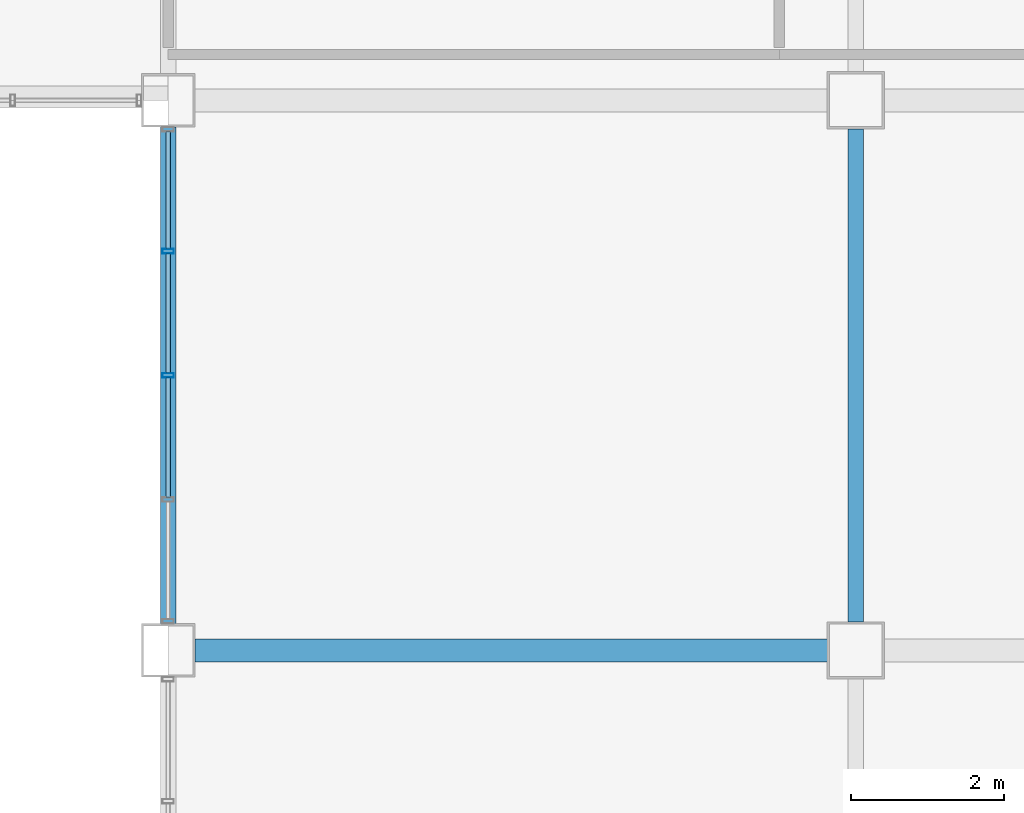
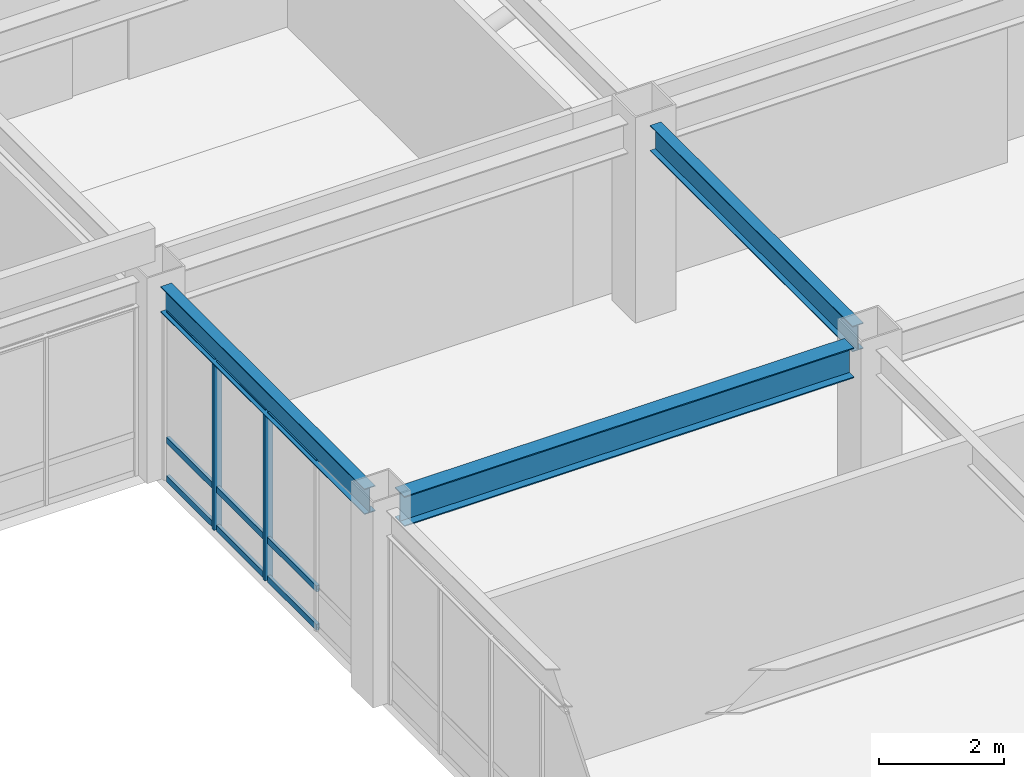
# One storey, part 50 of 122: 11 members, 3 beams, 1 element without a shape of its own.
"""IFC4 building model written with IfcOpenShell, lengths in metres."""

from ifc_helpers import new_model, si_unit, direction, frame, origin, origin_2d, place, context, subcontext, project, spatial, hollow_rectangle, i_section, extrude, material, material_profile, profile_set, type_object, element, aggregate, save


model = new_model("IFC4")

# Units and contexts
model_context = context("Model", 3, precision=1e-05, world=origin(), true_north=direction((0.0, 1.0)))
body_context = subcontext(model_context, "Body", "Model", "MODEL_VIEW")
ifc_project = project(units=[si_unit("LENGTHUNIT", "METRE"), si_unit("AREAUNIT", "SQUARE_METRE"), si_unit("VOLUMEUNIT", "CUBIC_METRE"), si_unit("PLANEANGLEUNIT", "RADIAN"), si_unit("MASSUNIT", "GRAM", prefix="KILO")], contexts=[model_context])

# Site, building, storey
site_placement = place(None, origin())
site = spatial("IfcSite", under=ifc_project, at=site_placement, CompositionType="ELEMENT")
building_placement = place(site_placement, origin())
building = spatial("IfcBuilding", under=site, at=building_placement, Name="Kazanami Central Library", CompositionType="ELEMENT")
storey_placement = place(building_placement, frame((0.0, 0.0, 4.800048828125)))
storey = spatial("IfcBuildingStorey", under=building, at=storey_placement, Name="L02", CompositionType="ELEMENT", Elevation=4.800048828125)

# Beams
ifc_material_1 = material(Name="Steel SN490B (325 MPa)", Category="steel")
ifc_material_profile_1 = material_profile(ifc_material_1, i_section(OverallWidth=0.300048828125, OverallDepth=0.587890625, WebThickness=0.011962890625, FlangeThickness=0.02001953125, at=origin_2d()), Name="H-588x300x12x20")
ifc_profile_set_1 = profile_set([ifc_material_profile_1], Name="Steel SN490B (325 MPa)")
beam_type_1 = type_object("IfcBeamType", Name="BM-G-X2", PredefinedType="BEAM", material=ifc_profile_set_1)
beam_1_placement = place(storey_placement, frame((117.347900390625, 57.60009765625, 3.4609375), z_axis=(1.0, 0.0, 0.0), x_axis=(0.0, 1.0, 0.0)))
element("IfcBeam", 1, at=beam_1_placement, inside=storey, type_object=beam_type_1, Name="Girder G-X2 L02 J/14-15", PredefinedType="BEAM", context=body_context, shape_type="SweptSolid", body=[
    extrude(i_section(OverallWidth=0.300048828125, OverallDepth=0.587890625, WebThickness=0.011962890625, FlangeThickness=0.02001953125, at=origin_2d()), origin(), (0.0, 0.0, 1.0), 8.279052734375),
])
ifc_material_profile_2 = material_profile(ifc_material_1, i_section(OverallWidth=0.199951171875, OverallDepth=0.5, WebThickness=0.010009765625, FlangeThickness=0.01611328125, at=origin_2d()), Name="H-500x200x10x16")
ifc_profile_set_2 = profile_set([ifc_material_profile_2], Name="Steel SN490B (325 MPa)")
beam_type_2 = type_object("IfcBeamType", Name="BM-G-Y2", PredefinedType="BEAM", material=ifc_profile_set_2)
beam_2_placement = place(storey_placement, frame((126.0, 57.972900390625, 3.5048828125), z_axis=(0.0, 1.0, 0.0), x_axis=(-1.0, 0.0, 0.0)))
element("IfcBeam", 2, at=beam_2_placement, inside=storey, type_object=beam_type_2, Name="Girder G-Y2 L02 15/J-K", PredefinedType="BEAM", context=body_context, shape_type="SweptSolid", body=[
    extrude(i_section(OverallWidth=0.199951171875, OverallDepth=0.5, WebThickness=0.010009765625, FlangeThickness=0.01611328125, at=origin_2d()), origin(), (0.0, 0.0, 1.0), 6.4541015625),
])
ifc_material_profile_3 = material_profile(ifc_material_1, i_section(OverallWidth=0.199951171875, OverallDepth=0.5, WebThickness=0.010009765625, FlangeThickness=0.01611328125, at=origin_2d()), Name="H-500x200x10x16")
ifc_profile_set_3 = profile_set([ifc_material_profile_3], Name="Steel SN490B (325 MPa)")
beam_type_3 = type_object("IfcBeamType", Name="BM-SP-1", PredefinedType="SPANDREL", material=ifc_profile_set_3)
beam_3_placement = place(storey_placement, frame((117.0, 57.947998046875, 3.5048828125), z_axis=(0.0, 1.0, 0.0), x_axis=(-1.0, 0.0, 0.0)))
element("IfcBeam", 3, at=beam_3_placement, inside=storey, type_object=beam_type_3, Name="Girder SP-1 L02 14/J-K", PredefinedType="SPANDREL", context=body_context, shape_type="SweptSolid", body=[
    extrude(i_section(OverallWidth=0.199951171875, OverallDepth=0.5, WebThickness=0.010009765625, FlangeThickness=0.01611328125, at=origin_2d()), origin(), (0.0, 0.0, 1.0), 6.50390625),
])

# Curtain wall, members
ifc_material_2 = material(Name="Acid-Etched Low-E Laminated Glass", Category="glass")
curtain_wall_type = type_object("IfcCurtainWallType", Name="CW-6500x3255-M180", PredefinedType="USERDEFINED", material=ifc_material_2)
curtain_wall_placement = place(storey_placement, origin())
curtain_wall = element("IfcCurtainWall", 4, at=curtain_wall_placement, inside=storey, type_object=curtain_wall_type, Name="Covered Link Bridge Curtain Wall CW-23 L02 W-14-08", ObjectType="UNITISED CURTAIN WALL", PredefinedType="USERDEFINED")
ifc_material_3 = material(Name="Anodised Aluminium A6063-T5", Category="aluminium")
ifc_material_profile_4 = material_profile(ifc_material_3, hollow_rectangle(XDim=0.06005859375, YDim=0.14990234375, WallThickness=0.00390625, at=origin_2d()), Name="ALU-MULL-60x150x4")
ifc_profile_set_4 = profile_set([ifc_material_profile_4], Name="Anodised Aluminium A6063-T5")
member_type_1 = type_object("IfcMemberType", Name="MEM-CW-M3", PredefinedType="MULLION", material=ifc_profile_set_4)
member_1_placement = place(storey_placement, frame((117.0, 61.199951171875, 0.0), z_axis=(0.0, 0.0, 1.0), x_axis=(0.0, 1.0, 0.0)))
member_1 = element("IfcMember", 5, at=member_1_placement, type_object=member_type_1, Name="CW-23 mullion 3", PredefinedType="MULLION", context=body_context, shape_type="SweptSolid", body=[
    extrude(hollow_rectangle(XDim=0.06005859375, YDim=0.14990234375, WallThickness=0.00390625, at=origin_2d()), origin(), (0.0, 0.0, 1.0), 3.2548828125),
])
member_2_placement = place(storey_placement, frame((117.0, 62.824951171875, 0.0), z_axis=(0.0, 0.0, 1.0), x_axis=(0.0, 1.0, 0.0)))
member_2 = element("IfcMember", 6, at=member_2_placement, type_object=member_type_1, Name="CW-23 mullion 4", PredefinedType="MULLION", context=body_context, shape_type="SweptSolid", body=[
    extrude(hollow_rectangle(XDim=0.06005859375, YDim=0.14990234375, WallThickness=0.00390625, at=origin_2d()), origin(), (0.0, 0.0, 1.0), 3.2548828125),
])
ifc_material_profile_5 = material_profile(ifc_material_3, hollow_rectangle(XDim=0.06005859375, YDim=0.1201171875, WallThickness=0.00341796875, at=origin_2d()), Name="ALU-TRAN-60x120x3.5")
ifc_profile_set_5 = profile_set([ifc_material_profile_5], Name="Anodised Aluminium A6063-T5")
member_type_2 = type_object("IfcMemberType", Name="MEM-CW-T3", PredefinedType="USERDEFINED", material=ifc_profile_set_5)
member_3_placement = place(storey_placement, frame((117.0, 59.60498046875, 0.030029296875), z_axis=(0.0, 1.0, 0.0), x_axis=(-1.0, 0.0, 0.0)))
member_3 = element("IfcMember", 7, at=member_3_placement, type_object=member_type_2, Name="CW-23 transom 2.1", ObjectType="TRANSOM", PredefinedType="USERDEFINED", context=body_context, shape_type="SweptSolid", body=[
    extrude(hollow_rectangle(XDim=0.06005859375, YDim=0.1201171875, WallThickness=0.00341796875, at=origin_2d()), origin(), (0.0, 0.0, 1.0), 1.56494140625),
])
member_4_placement = place(storey_placement, frame((117.0, 59.60498046875, 0.780029296875), z_axis=(0.0, 1.0, 0.0), x_axis=(-1.0, 0.0, 0.0)))
member_4 = element("IfcMember", 8, at=member_4_placement, type_object=member_type_2, Name="CW-23 transom 2.2", ObjectType="TRANSOM", PredefinedType="USERDEFINED", context=body_context, shape_type="SweptSolid", body=[
    extrude(hollow_rectangle(XDim=0.06005859375, YDim=0.1201171875, WallThickness=0.00341796875, at=origin_2d()), origin(), (0.0, 0.0, 1.0), 1.56494140625),
])
member_5_placement = place(storey_placement, frame((117.0, 59.60498046875, 3.224853515625), z_axis=(0.0, 1.0, 0.0), x_axis=(-1.0, 0.0, 0.0)))
member_5 = element("IfcMember", 9, at=member_5_placement, type_object=member_type_2, Name="CW-23 transom 2.3", ObjectType="TRANSOM", PredefinedType="USERDEFINED", context=body_context, shape_type="SweptSolid", body=[
    extrude(hollow_rectangle(XDim=0.06005859375, YDim=0.1201171875, WallThickness=0.00341796875, at=origin_2d()), origin(), (0.0, 0.0, 1.0), 1.56494140625),
])
member_6_placement = place(storey_placement, frame((117.0, 61.22998046875, 0.030029296875), z_axis=(0.0, 1.0, 0.0), x_axis=(-1.0, 0.0, 0.0)))
member_6 = element("IfcMember", 10, at=member_6_placement, type_object=member_type_2, Name="CW-23 transom 3.1", ObjectType="TRANSOM", PredefinedType="USERDEFINED", context=body_context, shape_type="SweptSolid", body=[
    extrude(hollow_rectangle(XDim=0.06005859375, YDim=0.1201171875, WallThickness=0.00341796875, at=origin_2d()), origin(), (0.0, 0.0, 1.0), 1.56494140625),
])
member_7_placement = place(storey_placement, frame((117.0, 61.22998046875, 0.780029296875), z_axis=(0.0, 1.0, 0.0), x_axis=(-1.0, 0.0, 0.0)))
member_7 = element("IfcMember", 11, at=member_7_placement, type_object=member_type_2, Name="CW-23 transom 3.2", ObjectType="TRANSOM", PredefinedType="USERDEFINED", context=body_context, shape_type="SweptSolid", body=[
    extrude(hollow_rectangle(XDim=0.06005859375, YDim=0.1201171875, WallThickness=0.00341796875, at=origin_2d()), origin(), (0.0, 0.0, 1.0), 1.56494140625),
])
member_8_placement = place(storey_placement, frame((117.0, 61.22998046875, 3.224853515625), z_axis=(0.0, 1.0, 0.0), x_axis=(-1.0, 0.0, 0.0)))
member_8 = element("IfcMember", 12, at=member_8_placement, type_object=member_type_2, Name="CW-23 transom 3.3", ObjectType="TRANSOM", PredefinedType="USERDEFINED", context=body_context, shape_type="SweptSolid", body=[
    extrude(hollow_rectangle(XDim=0.06005859375, YDim=0.1201171875, WallThickness=0.00341796875, at=origin_2d()), origin(), (0.0, 0.0, 1.0), 1.56494140625),
])
member_9_placement = place(storey_placement, frame((117.0, 62.85498046875, 0.030029296875), z_axis=(0.0, 1.0, 0.0), x_axis=(-1.0, 0.0, 0.0)))
member_9 = element("IfcMember", 13, at=member_9_placement, type_object=member_type_2, Name="CW-23 transom 4.1", ObjectType="TRANSOM", PredefinedType="USERDEFINED", context=body_context, shape_type="SweptSolid", body=[
    extrude(hollow_rectangle(XDim=0.06005859375, YDim=0.1201171875, WallThickness=0.00341796875, at=origin_2d()), origin(), (0.0, 0.0, 1.0), 1.534912109375),
])
member_10_placement = place(storey_placement, frame((117.0, 62.85498046875, 0.780029296875), z_axis=(0.0, 1.0, 0.0), x_axis=(-1.0, 0.0, 0.0)))
member_10 = element("IfcMember", 14, at=member_10_placement, type_object=member_type_2, Name="CW-23 transom 4.2", ObjectType="TRANSOM", PredefinedType="USERDEFINED", context=body_context, shape_type="SweptSolid", body=[
    extrude(hollow_rectangle(XDim=0.06005859375, YDim=0.1201171875, WallThickness=0.00341796875, at=origin_2d()), origin(), (0.0, 0.0, 1.0), 1.534912109375),
])
member_11_placement = place(storey_placement, frame((117.0, 62.85498046875, 3.224853515625), z_axis=(0.0, 1.0, 0.0), x_axis=(-1.0, 0.0, 0.0)))
member_11 = element("IfcMember", 15, at=member_11_placement, type_object=member_type_2, Name="CW-23 transom 4.3", ObjectType="TRANSOM", PredefinedType="USERDEFINED", context=body_context, shape_type="SweptSolid", body=[
    extrude(hollow_rectangle(XDim=0.06005859375, YDim=0.1201171875, WallThickness=0.00341796875, at=origin_2d()), origin(), (0.0, 0.0, 1.0), 1.534912109375),
])
aggregate(curtain_wall, [member_1, member_2, member_3, member_4, member_5, member_6, member_7, member_8, member_9, member_10, member_11])

save(model, "model.ifc")
